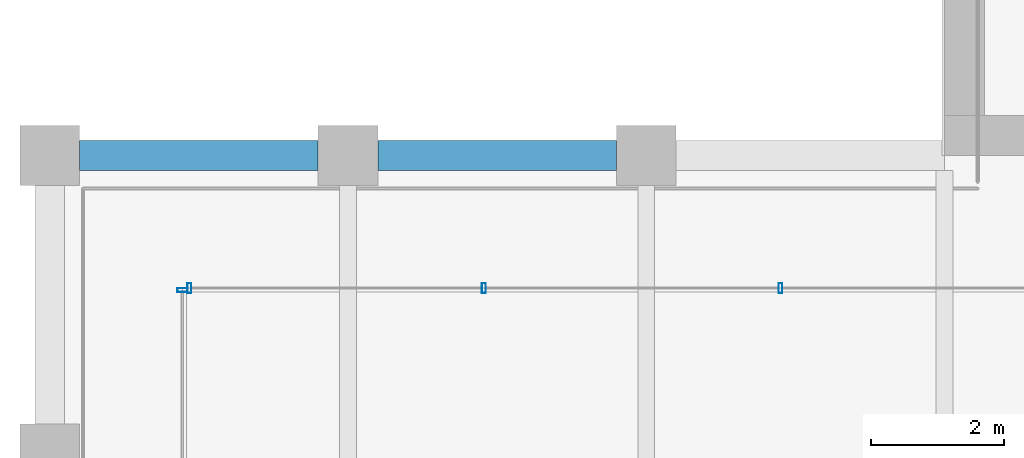
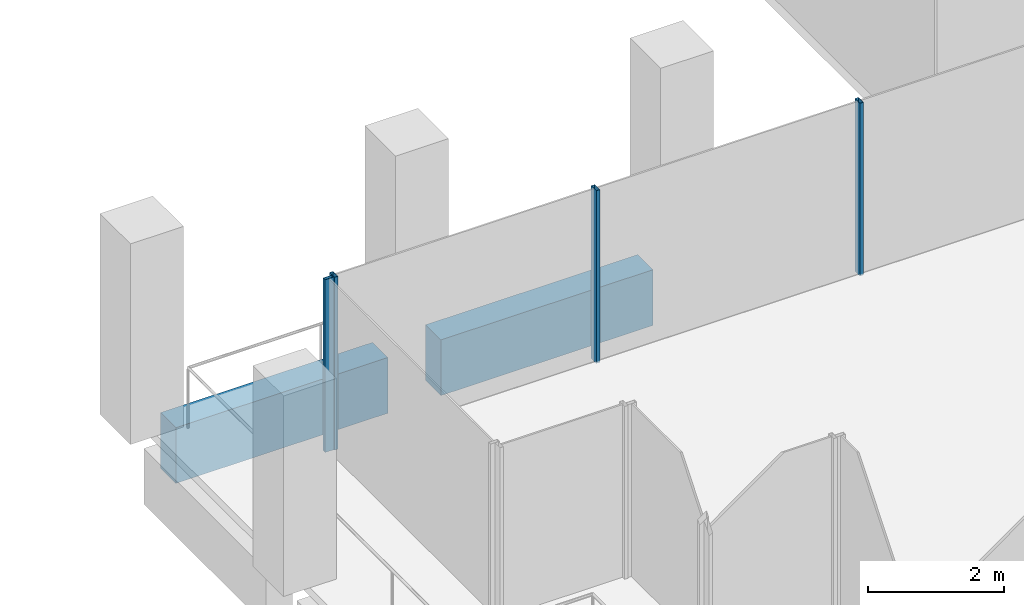
# One storey, part 5 of 40: 4 members, 2 beams, 2 elements without a shape of their own.
"""IFC4 building model written with IfcOpenShell, lengths in metres."""

from ifc_helpers import new_model, si_unit, direction, frame, origin, origin_2d, place, context, subcontext, project, spatial, rectangle, hollow_rectangle, extrude, material, material_profile, profile_set, type_object, element, aggregate, save


model = new_model("IFC4")

# Units and contexts
model_context = context("Model", 3, precision=1e-05, world=origin(), true_north=direction((0.0, 1.0)))
body_context = subcontext(model_context, "Body", "Model", "MODEL_VIEW")
ifc_project = project(units=[si_unit("LENGTHUNIT", "METRE"), si_unit("AREAUNIT", "SQUARE_METRE"), si_unit("VOLUMEUNIT", "CUBIC_METRE"), si_unit("PLANEANGLEUNIT", "RADIAN"), si_unit("MASSUNIT", "GRAM", prefix="KILO")], contexts=[model_context])

# Site, building, storey
site_placement = place(None, origin())
site = spatial("IfcSite", under=ifc_project, at=site_placement, CompositionType="ELEMENT")
building_placement = place(site_placement, origin())
building = spatial("IfcBuilding", under=site, at=building_placement, Name="Altepetl Exchange Towers", CompositionType="ELEMENT")
storey_placement = place(building_placement, frame((0.0, 0.0, 169.0)))
storey = spatial("IfcBuildingStorey", under=building, at=storey_placement, Name="L42", CompositionType="ELEMENT", Elevation=169.0)

# Curtain wall, members
ifc_material_1 = material(Name="Aluminium 6063-T6 glazing", Category="aluminium")
curtain_wall_type = type_object("IfcCurtainWallType", Name="Loggia glazing system", PredefinedType="NOTDEFINED", material=ifc_material_1)
curtain_wall_1_placement = place(storey_placement, origin())
curtain_wall_1 = element("IfcCurtainWall", 1, at=curtain_wall_1_placement, inside=storey, type_object=curtain_wall_type, Name="CW1 run", PredefinedType="NOTDEFINED")
ifc_material_2 = material(Name="Aluminium 6063-T6", Category="aluminium")
ifc_material_profile_1 = material_profile(ifc_material_2, hollow_rectangle(XDim=0.06005859375, YDim=0.14990234375, WallThickness=0.0029296875, at=origin_2d()), Name="Mullion 60x150 aluminium")
ifc_profile_set_1 = profile_set([ifc_material_profile_1], Name="Aluminium 6063-T6")
member_type = type_object("IfcMemberType", Name="Mullion 60x150 aluminium", PredefinedType="MULLION", material=ifc_profile_set_1)
member_1_placement = place(storey_placement, frame((38.02490234375, 38.5, 0.0), z_axis=(0.0, 0.0, 1.0), x_axis=(-1.0, 0.0, 0.0)))
member_1 = element("IfcMember", 2, at=member_1_placement, type_object=member_type, Name="MU1 mullion", PredefinedType="MULLION", context=body_context, shape_type="SweptSolid", body=[
    extrude(hollow_rectangle(XDim=0.06005859375, YDim=0.14990234375, WallThickness=0.0029296875, at=origin_2d()), origin(), (0.0, 0.0, 1.0), 3.10009765625),
])
member_2_placement = place(storey_placement, frame((33.550048828125, 38.5, 0.0), z_axis=(0.0, 0.0, 1.0), x_axis=(-1.0, 0.0, 0.0)))
member_2 = element("IfcMember", 3, at=member_2_placement, type_object=member_type, Name="MU1 mullion", PredefinedType="MULLION", context=body_context, shape_type="SweptSolid", body=[
    extrude(hollow_rectangle(XDim=0.06005859375, YDim=0.14990234375, WallThickness=0.0029296875, at=origin_2d()), origin(), (0.0, 0.0, 1.0), 3.10009765625),
])
member_3_placement = place(storey_placement, frame((29.10498046875, 38.5, 0.0), z_axis=(0.0, 0.0, 1.0), x_axis=(-1.0, 0.0, 0.0)))
member_3 = element("IfcMember", 4, at=member_3_placement, type_object=member_type, Name="MU1 mullion", PredefinedType="MULLION", context=body_context, shape_type="SweptSolid", body=[
    extrude(hollow_rectangle(XDim=0.06005859375, YDim=0.14990234375, WallThickness=0.0029296875, at=origin_2d()), origin(), (0.0, 0.0, 1.0), 3.10009765625),
])
aggregate(curtain_wall_1, [member_1, member_2, member_3])

# Curtain wall, member
curtain_wall_2_placement = place(storey_placement, origin())
curtain_wall_2 = element("IfcCurtainWall", 5, at=curtain_wall_2_placement, inside=storey, type_object=curtain_wall_type, Name="CW1 run", PredefinedType="NOTDEFINED")
member_4_placement = place(storey_placement, frame((29.0, 38.469970703125, 0.0), z_axis=(0.0, 0.0, 1.0), x_axis=(0.0, -1.0, 0.0)))
member_4 = element("IfcMember", 6, at=member_4_placement, type_object=member_type, Name="MU1 mullion", PredefinedType="MULLION", context=body_context, shape_type="SweptSolid", body=[
    extrude(hollow_rectangle(XDim=0.06005859375, YDim=0.14990234375, WallThickness=0.0029296875, at=origin_2d()), origin(), (0.0, 0.0, 1.0), 3.10009765625),
])
aggregate(curtain_wall_2, [member_4])

# Beams
ifc_material_3 = material(Name="Concrete C50/60 precast with tezontle facing", Category="concrete")
ifc_material_profile_2 = material_profile(ifc_material_3, rectangle(XDim=0.449951171875, YDim=1.0, at=origin_2d()), Name="450 x 1000")
ifc_profile_set_2 = profile_set([ifc_material_profile_2], Name="Concrete C50/60 precast with tezontle facing")
beam_type = type_object("IfcBeamType", Name="Spandrel beam 450x1000 tezontle", PredefinedType="SPANDREL", material=ifc_profile_set_2)
for number, where, z_axis, x_axis, name in (
    (7, (35.550048828125, 40.5, -0.64990234375), (-1.0, 0.0, 0.0), (0.0, -1.0, 0.0), "sp:A:L42:034"),
    (8, (31.050048828125, 40.5, -0.64990234375), (-1.0, 0.0, 0.0), (0.0, -1.0, 0.0), "sp:A:L42:035"),
):
    element("IfcBeam", number, at=place(storey_placement, frame(where, z_axis=z_axis, x_axis=x_axis)), inside=storey, type_object=beam_type, Name=name, PredefinedType="SPANDREL", context=body_context, shape_type="SweptSolid", body=[
        extrude(rectangle(XDim=0.449951171875, YDim=1.0, at=origin_2d()), origin(), (0.0, 0.0, 1.0), 3.60009765625),
    ])

save(model, "model.ifc")
